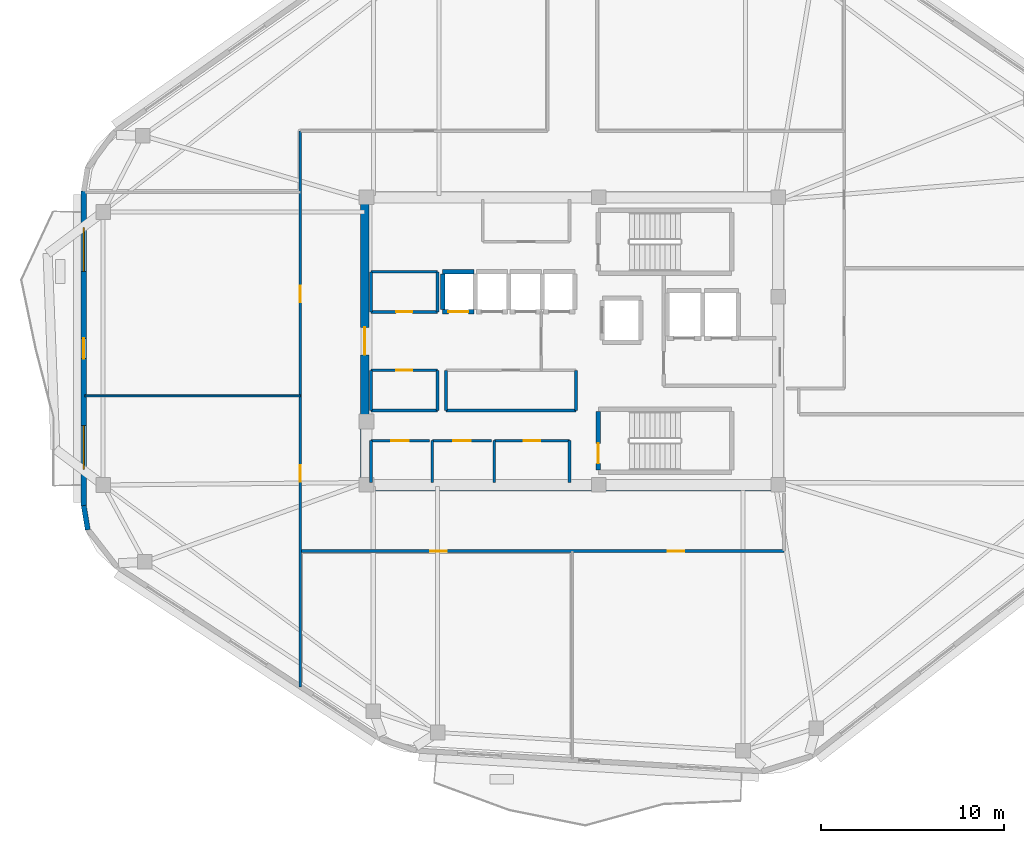
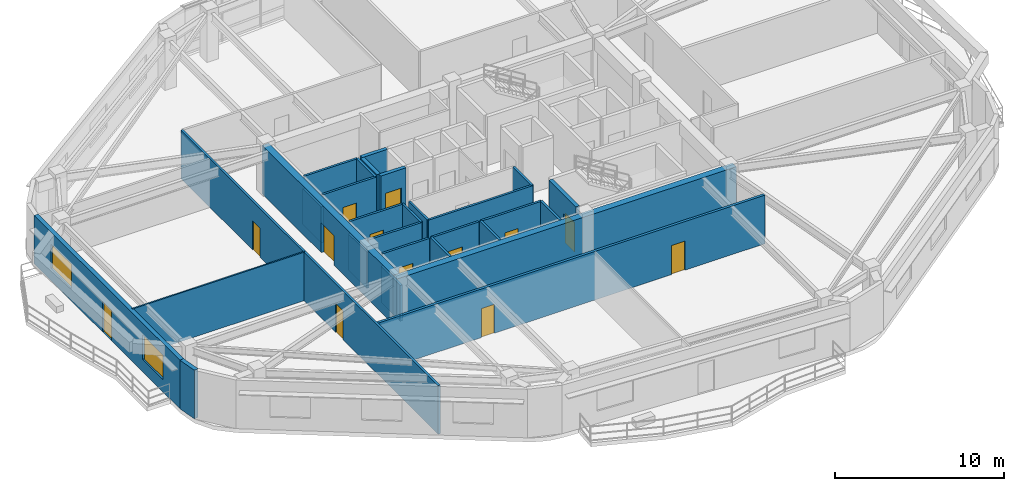
# One storey, part 6 of 12: 29 walls, 13 doors, 2 windows, 15 openings.
"""IFC4 building model written with IfcOpenShell, lengths in metres."""

from ifc_helpers import new_model, si_unit, direction, frame, frame_2d, origin, place, context, subcontext, project, spatial, rectangle, extrude, material, layer, layer_set, type_object, element, fill, save


model = new_model("IFC4")

# Units and contexts
model_context = context("Model", 3, precision=1e-05, world=origin(), true_north=direction((0.0, 1.0)))
body_context = subcontext(model_context, "Body", "Model", "MODEL_VIEW")
ifc_project = project(units=[si_unit("LENGTHUNIT", "METRE"), si_unit("AREAUNIT", "SQUARE_METRE"), si_unit("VOLUMEUNIT", "CUBIC_METRE"), si_unit("PLANEANGLEUNIT", "RADIAN"), si_unit("MASSUNIT", "GRAM", prefix="KILO")], contexts=[model_context])

# Site, building, storey
site_placement = place(None, origin())
site = spatial("IfcSite", under=ifc_project, at=site_placement, CompositionType="ELEMENT")
building_placement = place(site_placement, origin())
building = spatial("IfcBuilding", under=site, at=building_placement, Name="Zulverin Broadcast Headquarters", CompositionType="ELEMENT")
storey_placement = place(building_placement, frame((0.0, 0.0, 263.0)))
storey = spatial("IfcBuildingStorey", under=building, at=storey_placement, Name="L67", CompositionType="ELEMENT", Elevation=263.0)

# Wall
ifc_material_1 = material(Name="Concrete C50/60", Category="concrete")
ifc_layer_1 = layer(ifc_material_1, 0.449951171875, Name="Concrete C50/60", Category="concrete")
ifc_layer_set_1 = layer_set([ifc_layer_1], Name="Concrete C50/60")
wall_type_1 = type_object("IfcWallType", Name="WL-CORE-450", PredefinedType="SHEAR", material=ifc_layer_set_1)
wall_1_placement = place(storey_placement, frame((25.39990234375, 17.22509765625, 0.0), z_axis=(0.0, 0.0, 1.0), x_axis=(1.0, 0.0, 0.0)))
element("IfcWall", 1, at=wall_1_placement, inside=storey, type_object=wall_type_1, Name="L67 Core South Shear Wall", PredefinedType="SHEAR", context=body_context, shape_type="SweptSolid", body=[
    extrude(rectangle(XDim=23.2001953125, YDim=0.449951171875, at=frame_2d((11.60009765625, 0.0))), origin(), (0.0, 0.0, 1.0), 3.510009765625),
])

# Wall, opening, door
wall_2_placement = place(storey_placement, frame((25.625, 17.449951171875, 0.0), z_axis=(0.0, 0.0, 1.0), x_axis=(0.0, 1.0, 0.0)))
wall_2 = element("IfcWall", 2, at=wall_2_placement, inside=storey, type_object=wall_type_1, Name="L67 Core West Shear Wall", PredefinedType="SHEAR", context=body_context, shape_type="SweptSolid", body=[
    extrude(rectangle(XDim=15.5, YDim=0.449951171875, at=frame_2d((7.75, 0.0))), origin(), (0.0, 0.0, 1.0), 3.510009765625),
])
opening_1_placement = place(wall_2_placement, frame((7.0, 0.0, 0.0)))
opening_1 = element("IfcOpeningElement", 3, at=opening_1_placement, cuts=wall_2, Name="Opening D-L67-CW1", PredefinedType="OPENING", context=body_context, shape_type="SweptSolid", body=[
    extrude(rectangle(XDim=1.5, YDim=2.14990234375, at=frame_2d((0.75, 1.074951171875))), frame((0.0, 0.23486328125, 0.0), z_axis=(0.0, -1.0, 0.0), x_axis=(1.0, 0.0, 0.0)), (0.0, 0.0, 1.0), 0.469970703125),
])
ifc_material_2 = material(Name="Fire-rated glazed steel frame", Category="steel")
door_type_1 = type_object("IfcDoorType", Name="DR-COR-1500", OperationType="DOUBLE_DOOR_SINGLE_SWING", PredefinedType="DOOR", material=ifc_material_2)
door_1_placement = place(opening_1_placement, origin())
door_1 = element("IfcDoor", 4, at=door_1_placement, inside=storey, type_object=door_type_1, Name="L67 Central Lift Lobby West Portal Door", OperationType="DOUBLE_DOOR_SINGLE_SWING", OverallHeight=2.14990234375, OverallWidth=1.5, PredefinedType="DOOR", context=body_context, shape_type="SweptSolid", body=[
    extrude(rectangle(XDim=1.5, YDim=2.14990234375, at=frame_2d((0.75, 1.074951171875))), frame((0.0, 0.02490234375, 0.0), z_axis=(0.0, -1.0, 0.0), x_axis=(1.0, 0.0, 0.0)), (0.0, 0.0, 1.0), 0.050048828125),
])
fill(opening_1, door_1)

# Wall, openings, door, windows
ifc_material_3 = material(Name="Insulated pale-metal clad concrete spandrel C40/50", Category="concrete")
ifc_layer_2 = layer(ifc_material_3, 0.280029296875, Name="Insulated pale-metal clad concrete spandrel C40/50", Category="concrete")
ifc_layer_set_2 = layer_set([ifc_layer_2], Name="Insulated pale-metal clad concrete spandrel C40/50")
wall_type_2 = type_object("IfcWallType", Name="WL-EXT-280", PredefinedType="STANDARD", material=ifc_layer_set_2)
wall_3_placement = place(storey_placement, frame((10.239990234375, 33.42529296875, 0.0), z_axis=(0.0, 0.0, 1.0), x_axis=(0.0, -1.0, 0.0)))
wall_3 = element("IfcWall", 5, at=wall_3_placement, inside=storey, type_object=wall_type_2, Name="L67 Pale-Metal Clad Spandrel Wall 7", PredefinedType="STANDARD", context=body_context, shape_type="SweptSolid", body=[
    extrude(rectangle(XDim=17.256591796875, YDim=0.280029296875, at=frame_2d((8.62841796875, 0.0))), origin(), (0.0, 0.0, 1.0), 3.510009765625),
])
opening_2_placement = place(wall_3_placement, frame((8.078369140625, 0.0, 0.0)))
opening_2 = element("IfcOpeningElement", 6, at=opening_2_placement, cuts=wall_3, Name="Opening D-L67-TR7", PredefinedType="OPENING", context=body_context, shape_type="SweptSolid", body=[
    extrude(rectangle(XDim=1.10009765625, YDim=2.199951171875, at=frame_2d((0.550048828125, 1.10009765625))), frame((0.0, 0.14990234375, 0.0), z_axis=(0.0, -1.0, 0.0), x_axis=(1.0, 0.0, 0.0)), (0.0, 0.0, 1.0), 0.300048828125),
])
opening_3_placement = place(wall_3_placement, frame((2.009521484375, 0.0, 0.89990234375)))
opening_3 = element("IfcOpeningElement", 7, at=opening_3_placement, cuts=wall_3, Name="Opening W-L67-E71", PredefinedType="OPENING", context=body_context, shape_type="SweptSolid", body=[
    extrude(rectangle(XDim=2.39990234375, YDim=1.75, at=frame_2d((1.199951171875, 0.875))), frame((0.0, 0.14990234375, 0.0), z_axis=(0.0, -1.0, 0.0), x_axis=(1.0, 0.0, 0.0)), (0.0, 0.0, 1.0), 0.300048828125),
])
opening_4_placement = place(wall_3_placement, frame((12.84716796875, 0.0, 0.89990234375)))
opening_4 = element("IfcOpeningElement", 8, at=opening_4_placement, cuts=wall_3, Name="Opening W-L67-E72", PredefinedType="OPENING", context=body_context, shape_type="SweptSolid", body=[
    extrude(rectangle(XDim=2.39990234375, YDim=1.75, at=frame_2d((1.199951171875, 0.875))), frame((0.0, 0.14990234375, 0.0), z_axis=(0.0, -1.0, 0.0), x_axis=(1.0, 0.0, 0.0)), (0.0, 0.0, 1.0), 0.300048828125),
])
ifc_material_4 = material(Name="Thermally broken aluminium glazed", Category="aluminium")
door_type_2 = type_object("IfcDoorType", Name="DR-TERR-1100", OperationType="SINGLE_SWING_RIGHT", PredefinedType="DOOR", material=ifc_material_4)
door_2_placement = place(opening_2_placement, origin())
door_2 = element("IfcDoor", 9, at=door_2_placement, inside=storey, type_object=door_type_2, Name="L67 Planted Terrace Glazed Access Door 7", OperationType="SINGLE_SWING_RIGHT", OverallHeight=2.199951171875, OverallWidth=1.10009765625, PredefinedType="DOOR", context=body_context, shape_type="SweptSolid", body=[
    extrude(rectangle(XDim=1.10009765625, YDim=2.199951171875, at=frame_2d((0.550048828125, 1.10009765625))), frame((0.0, 0.02490234375, 0.0), z_axis=(0.0, -1.0, 0.0), x_axis=(1.0, 0.0, 0.0)), (0.0, 0.0, 1.0), 0.050048828125),
])
fill(opening_2, door_2)
ifc_material_5 = material(Name="Pale anodized aluminium frame with solar-control low-E double glazing", Category="aluminium")
window_type = type_object("IfcWindowType", Name="WIN-RIB-2400", PartitioningType="SINGLE_PANEL", PredefinedType="WINDOW", material=ifc_material_5)
window_1_placement = place(opening_3_placement, origin())
window_1 = element("IfcWindow", 10, at=window_1_placement, inside=storey, type_object=window_type, Name="L67 Ribbon Glazing Window 7 1", OverallHeight=1.75, OverallWidth=2.39990234375, PartitioningType="SINGLE_PANEL", PredefinedType="WINDOW", context=body_context, shape_type="SweptSolid", body=[
    extrude(rectangle(XDim=2.39990234375, YDim=1.75, at=frame_2d((1.199951171875, 0.875))), frame((0.0, 0.030029296875, 0.0), z_axis=(0.0, -1.0, 0.0), x_axis=(1.0, 0.0, 0.0)), (0.0, 0.0, 1.0), 0.06005859375),
])
fill(opening_3, window_1)
window_2_placement = place(opening_4_placement, origin())
window_2 = element("IfcWindow", 11, at=window_2_placement, inside=storey, type_object=window_type, Name="L67 Ribbon Glazing Window 7 2", OverallHeight=1.75, OverallWidth=2.39990234375, PartitioningType="SINGLE_PANEL", PredefinedType="WINDOW", context=body_context, shape_type="SweptSolid", body=[
    extrude(rectangle(XDim=2.39990234375, YDim=1.75, at=frame_2d((1.199951171875, 0.875))), frame((0.0, 0.030029296875, 0.0), z_axis=(0.0, -1.0, 0.0), x_axis=(1.0, 0.0, 0.0)), (0.0, 0.0, 1.0), 0.06005859375),
])
fill(opening_4, window_2)

# Walls
wall_4_placement = place(storey_placement, frame((10.238037109375, 16.191650390625, 0.0), z_axis=(0.0, 0.0, 1.0), x_axis=(0.164604311367, -0.986359681191, 0.0)))
element("IfcWall", 12, at=wall_4_placement, inside=storey, type_object=wall_type_2, Name="L67 Wind-Shaped Corner Spandrel Wall 7-1", PredefinedType="STANDARD", context=body_context, shape_type="SweptSolid", body=[
    extrude(rectangle(XDim=1.349609375, YDim=0.280029296875, at=frame_2d((0.6748046875, 0.0))), origin(), (0.0, 0.0, 1.0), 3.510009765625),
])
ifc_material_6 = material(Name="Fire-rated acoustic laminated glass screen", Category="glass")
ifc_layer_3 = layer(ifc_material_6, 0.10009765625, Name="Fire-rated acoustic laminated glass screen", Category="glass")
ifc_layer_set_3 = layer_set([ifc_layer_3], Name="Fire-rated acoustic laminated glass screen")
wall_type_3 = type_object("IfcWallType", Name="WL-GLAZ-100", PredefinedType="PARTITIONING", material=ifc_layer_set_3)
wall_5_placement = place(storey_placement, frame((10.304931640625, 22.199951171875, 0.0), z_axis=(0.0, 0.0, 1.0), x_axis=(1.0, 0.0, 0.0)))
element("IfcWall", 13, at=wall_5_placement, inside=storey, type_object=wall_type_3, Name="L67 Room Partition Wall RP-10", PredefinedType="PARTITIONING", context=body_context, shape_type="SweptSolid", body=[
    extrude(rectangle(XDim=11.795166015625, YDim=0.10009765625, at=frame_2d((5.8974609375, 0.0))), origin(), (0.0, 0.0, 1.0), 3.510009765625),
])

# Wall, opening, door
ifc_material_7 = material(Name="Fire-rated gypsum stud partition", Category="gypsum")
ifc_layer_4 = layer(ifc_material_7, 0.14990234375, Name="Fire-rated gypsum stud partition", Category="gypsum")
ifc_layer_set_4 = layer_set([ifc_layer_4], Name="Fire-rated gypsum stud partition")
wall_type_4 = type_object("IfcWallType", Name="WL-PART-150", PredefinedType="PARTITIONING", material=ifc_layer_set_4)
wall_6_placement = place(storey_placement, frame((25.969970703125, 19.75, 0.0), z_axis=(0.0, 0.0, 1.0), x_axis=(1.0, 0.0, 0.0)))
wall_6 = element("IfcWall", 14, at=wall_6_placement, inside=storey, type_object=wall_type_4, Name="L67 Core Male WC Front Wall", PredefinedType="PARTITIONING", context=body_context, shape_type="SweptSolid", body=[
    extrude(rectangle(XDim=3.199951171875, YDim=0.14990234375, at=frame_2d((1.60009765625, 0.0))), origin(), (0.0, 0.0, 1.0), 3.510009765625),
])
opening_5_placement = place(wall_6_placement, frame((1.125, 0.0, 0.0)))
opening_5 = element("IfcOpeningElement", 15, at=opening_5_placement, cuts=wall_6, Name="Opening D-L67-SC1", PredefinedType="OPENING", context=body_context, shape_type="SweptSolid", body=[
    extrude(rectangle(XDim=0.949951171875, YDim=2.10009765625, at=frame_2d((0.47509765625, 1.050048828125))), frame((0.0, 0.0849609375, 0.0), z_axis=(0.0, -1.0, 0.0), x_axis=(1.0, 0.0, 0.0)), (0.0, 0.0, 1.0), 0.169921875),
])
ifc_material_8 = material(Name="Fire-rated moisture-resistant laminate leaf", Category="wood")
door_type_3 = type_object("IfcDoorType", Name="DR-WC-950", OperationType="SINGLE_SWING_LEFT", PredefinedType="DOOR", material=ifc_material_8)
door_3_placement = place(opening_5_placement, origin())
door_3 = element("IfcDoor", 16, at=door_3_placement, inside=storey, type_object=door_type_3, Name="L67 Male WC Door", OperationType="SINGLE_SWING_RIGHT", OverallHeight=2.10009765625, OverallWidth=0.949951171875, PredefinedType="DOOR", context=body_context, shape_type="SweptSolid", body=[
    extrude(rectangle(XDim=0.949951171875, YDim=2.10009765625, at=frame_2d((0.47509765625, 1.050048828125))), frame((0.0, 0.02490234375, 0.0), z_axis=(0.0, -1.0, 0.0), x_axis=(1.0, 0.0, 0.0)), (0.0, 0.0, 1.0), 0.050048828125),
])
fill(opening_5, door_3)

# Wall
wall_7_placement = place(storey_placement, frame((25.969970703125, 17.449951171875, 0.0), z_axis=(0.0, 0.0, 1.0), x_axis=(0.0, 1.0, 0.0)))
element("IfcWall", 17, at=wall_7_placement, inside=storey, type_object=wall_type_4, Name="L67 Core Male WC West Wall", PredefinedType="PARTITIONING", context=body_context, shape_type="SweptSolid", body=[
    extrude(rectangle(XDim=2.300048828125, YDim=0.14990234375, at=frame_2d((1.14990234375, 0.0))), origin(), (0.0, 0.0, 1.0), 2.610107421875),
])

# Wall, opening, door
wall_8_placement = place(storey_placement, frame((29.330078125, 19.75, 0.0), z_axis=(0.0, 0.0, 1.0), x_axis=(1.0, 0.0, 0.0)))
wall_8 = element("IfcWall", 18, at=wall_8_placement, inside=storey, type_object=wall_type_4, Name="L67 Core Female WC Front Wall", PredefinedType="PARTITIONING", context=body_context, shape_type="SweptSolid", body=[
    extrude(rectangle(XDim=3.239990234375, YDim=0.14990234375, at=frame_2d((1.6201171875, 0.0))), origin(), (0.0, 0.0, 1.0), 3.510009765625),
])
opening_6_placement = place(wall_8_placement, frame((1.14501953125, 0.0, 0.0)))
opening_6 = element("IfcOpeningElement", 19, at=opening_6_placement, cuts=wall_8, Name="Opening D-L67-SC2", PredefinedType="OPENING", context=body_context, shape_type="SweptSolid", body=[
    extrude(rectangle(XDim=0.949951171875, YDim=2.10009765625, at=frame_2d((0.47509765625, 1.050048828125))), frame((0.0, 0.0849609375, 0.0), z_axis=(0.0, -1.0, 0.0), x_axis=(1.0, 0.0, 0.0)), (0.0, 0.0, 1.0), 0.169921875),
])
door_4_placement = place(opening_6_placement, origin())
door_4 = element("IfcDoor", 20, at=door_4_placement, inside=storey, type_object=door_type_3, Name="L67 Female WC Door", OperationType="SINGLE_SWING_LEFT", OverallHeight=2.10009765625, OverallWidth=0.949951171875, PredefinedType="DOOR", context=body_context, shape_type="SweptSolid", body=[
    extrude(rectangle(XDim=0.949951171875, YDim=2.10009765625, at=frame_2d((0.47509765625, 1.050048828125))), frame((0.0, 0.02490234375, 0.0), z_axis=(0.0, -1.0, 0.0), x_axis=(1.0, 0.0, 0.0)), (0.0, 0.0, 1.0), 0.050048828125),
])
fill(opening_6, door_4)

# Wall
wall_9_placement = place(storey_placement, frame((29.330078125, 17.449951171875, 0.0), z_axis=(0.0, 0.0, 1.0), x_axis=(0.0, 1.0, 0.0)))
element("IfcWall", 21, at=wall_9_placement, inside=storey, type_object=wall_type_4, Name="L67 Core Female WC West Wall", PredefinedType="PARTITIONING", context=body_context, shape_type="SweptSolid", body=[
    extrude(rectangle(XDim=2.300048828125, YDim=0.14990234375, at=frame_2d((1.14990234375, 0.0))), origin(), (0.0, 0.0, 1.0), 3.510009765625),
])

# Wall, opening, door
wall_10_placement = place(storey_placement, frame((32.72998046875, 19.75, 0.0), z_axis=(0.0, 0.0, 1.0), x_axis=(1.0, 0.0, 0.0)))
wall_10 = element("IfcWall", 22, at=wall_10_placement, inside=storey, type_object=wall_type_4, Name="L67 Core Cleaner Store Front Wall", PredefinedType="PARTITIONING", context=body_context, shape_type="SweptSolid", body=[
    extrude(rectangle(XDim=4.1201171875, YDim=0.14990234375, at=frame_2d((2.06005859375, 0.0))), origin(), (0.0, 0.0, 1.0), 3.510009765625),
])
opening_7_placement = place(wall_10_placement, frame((1.610107421875, 0.0, 0.0)))
opening_7 = element("IfcOpeningElement", 23, at=opening_7_placement, cuts=wall_10, Name="Opening D-L67-SC3", PredefinedType="OPENING", context=body_context, shape_type="SweptSolid", body=[
    extrude(rectangle(XDim=0.89990234375, YDim=2.10009765625, at=frame_2d((0.449951171875, 1.050048828125))), frame((0.0, 0.0849609375, 0.0), z_axis=(0.0, -1.0, 0.0), x_axis=(1.0, 0.0, 0.0)), (0.0, 0.0, 1.0), 0.169921875),
])
ifc_material_9 = material(Name="Powder-coated steel access leaf", Category="steel")
door_type_4 = type_object("IfcDoorType", Name="DR-RISER-900", OperationType="SINGLE_SWING_LEFT", PredefinedType="DOOR", material=ifc_material_9)
door_5_placement = place(opening_7_placement, origin())
door_5 = element("IfcDoor", 24, at=door_5_placement, inside=storey, type_object=door_type_4, Name="L67 Cleaner Store Door", OperationType="SINGLE_SWING_RIGHT", OverallHeight=2.10009765625, OverallWidth=0.89990234375, PredefinedType="DOOR", context=body_context, shape_type="SweptSolid", body=[
    extrude(rectangle(XDim=0.89990234375, YDim=2.10009765625, at=frame_2d((0.449951171875, 1.050048828125))), frame((0.0, 0.02490234375, 0.0), z_axis=(0.0, -1.0, 0.0), x_axis=(1.0, 0.0, 0.0)), (0.0, 0.0, 1.0), 0.050048828125),
])
fill(opening_7, door_5)

# Walls
for number, where, z_axis, x_axis, name in (
    (25, (32.72998046875, 17.449951171875, 0.0), (0.0, 0.0, 1.0), (0.0, 1.0, 0.0), "L67 Core Cleaner Store West Wall"),
    (26, (36.85009765625, 17.449951171875, 0.0), (0.0, 0.0, 1.0), (0.0, 1.0, 0.0), "L67 Core Cleaner Store East Wall"),
):
    element("IfcWall", number, at=place(storey_placement, frame(where, z_axis=z_axis, x_axis=x_axis)), inside=storey, type_object=wall_type_4, Name=name, PredefinedType="PARTITIONING", context=body_context, shape_type="SweptSolid", body=[
        extrude(rectangle(XDim=2.300048828125, YDim=0.14990234375, at=frame_2d((1.14990234375, 0.0))), origin(), (0.0, 0.0, 1.0), 3.510009765625),
    ])

# Wall, opening, door
wall_11_placement = place(storey_placement, frame((25.969970703125, 26.800048828125, 0.0), z_axis=(0.0, 0.0, 1.0), x_axis=(1.0, 0.0, 0.0)))
wall_11 = element("IfcWall", 27, at=wall_11_placement, inside=storey, type_object=wall_type_4, Name="L67 Broadcast Signal Patch Room S Wall", PredefinedType="PARTITIONING", context=body_context, shape_type="SweptSolid", body=[
    extrude(rectangle(XDim=3.650146484375, YDim=0.14990234375, at=frame_2d((1.8251953125, 0.0))), origin(), (0.0, 0.0, 1.0), 3.510009765625),
])
opening_8_placement = place(wall_11_placement, frame((1.375, 0.0, 0.0)))
opening_8 = element("IfcOpeningElement", 28, at=opening_8_placement, cuts=wall_11, Name="Opening D-L67-RCLN", PredefinedType="OPENING", context=body_context, shape_type="SweptSolid", body=[
    extrude(rectangle(XDim=0.89990234375, YDim=2.10009765625, at=frame_2d((0.449951171875, 1.050048828125))), frame((0.0, 0.0849609375, 0.0), z_axis=(0.0, -1.0, 0.0), x_axis=(1.0, 0.0, 0.0)), (0.0, 0.0, 1.0), 0.169921875),
])
door_6_placement = place(opening_8_placement, origin())
door_6 = element("IfcDoor", 29, at=door_6_placement, inside=storey, type_object=door_type_4, Name="L67 Broadcast Signal Patch Room Door", OperationType="SINGLE_SWING_LEFT", OverallHeight=2.10009765625, OverallWidth=0.89990234375, PredefinedType="DOOR", context=body_context, shape_type="SweptSolid", body=[
    extrude(rectangle(XDim=0.89990234375, YDim=2.10009765625, at=frame_2d((0.449951171875, 1.050048828125))), frame((0.0, 0.02490234375, 0.0), z_axis=(0.0, -1.0, 0.0), x_axis=(1.0, 0.0, 0.0)), (0.0, 0.0, 1.0), 0.050048828125),
])
fill(opening_8, door_6)

# Walls
wall_12_placement = place(storey_placement, frame((25.969970703125, 29.0, 0.0), z_axis=(0.0, 0.0, 1.0), x_axis=(1.0, 0.0, 0.0)))
element("IfcWall", 30, at=wall_12_placement, inside=storey, type_object=wall_type_4, Name="L67 Broadcast Signal Patch Room N Wall", PredefinedType="PARTITIONING", context=body_context, shape_type="SweptSolid", body=[
    extrude(rectangle(XDim=3.650146484375, YDim=0.14990234375, at=frame_2d((1.8251953125, 0.0))), origin(), (0.0, 0.0, 1.0), 3.510009765625),
])
wall_13_placement = place(storey_placement, frame((25.969970703125, 26.800048828125, 0.0), z_axis=(0.0, 0.0, 1.0), x_axis=(0.0, 1.0, 0.0)))
element("IfcWall", 31, at=wall_13_placement, inside=storey, type_object=wall_type_4, Name="L67 Broadcast Signal Patch Room W Wall", PredefinedType="PARTITIONING", context=body_context, shape_type="SweptSolid", body=[
    extrude(rectangle(XDim=2.199951171875, YDim=0.14990234375, at=frame_2d((1.10009765625, 0.0))), origin(), (0.0, 0.0, 1.0), 2.610107421875),
])
wall_14_placement = place(storey_placement, frame((29.6201171875, 26.800048828125, 0.0), z_axis=(0.0, 0.0, 1.0), x_axis=(0.0, 1.0, 0.0)))
element("IfcWall", 32, at=wall_14_placement, inside=storey, type_object=wall_type_4, Name="L67 Broadcast Signal Patch Room E Wall", PredefinedType="PARTITIONING", context=body_context, shape_type="SweptSolid", body=[
    extrude(rectangle(XDim=2.199951171875, YDim=0.14990234375, at=frame_2d((1.10009765625, 0.0))), origin(), (0.0, 0.0, 1.0), 3.510009765625),
])
wall_15_placement = place(storey_placement, frame((25.969970703125, 21.39990234375, 0.0), z_axis=(0.0, 0.0, 1.0), x_axis=(1.0, 0.0, 0.0)))
element("IfcWall", 33, at=wall_15_placement, inside=storey, type_object=wall_type_4, Name="L67 Housekeeping Equipment Store S Wall", PredefinedType="PARTITIONING", context=body_context, shape_type="SweptSolid", body=[
    extrude(rectangle(XDim=3.650146484375, YDim=0.14990234375, at=frame_2d((1.8251953125, 0.0))), origin(), (0.0, 0.0, 1.0), 3.510009765625),
])

# Wall, opening, door
wall_16_placement = place(storey_placement, frame((25.969970703125, 23.60009765625, 0.0), z_axis=(0.0, 0.0, 1.0), x_axis=(1.0, 0.0, 0.0)))
wall_16 = element("IfcWall", 34, at=wall_16_placement, inside=storey, type_object=wall_type_4, Name="L67 Housekeeping Equipment Store N Wall", PredefinedType="PARTITIONING", context=body_context, shape_type="SweptSolid", body=[
    extrude(rectangle(XDim=3.650146484375, YDim=0.14990234375, at=frame_2d((1.8251953125, 0.0))), origin(), (0.0, 0.0, 1.0), 3.510009765625),
])
opening_9_placement = place(wall_16_placement, frame((1.375, 0.0, 0.0)))
opening_9 = element("IfcOpeningElement", 35, at=opening_9_placement, cuts=wall_16, Name="Opening D-L67-RCLS", PredefinedType="OPENING", context=body_context, shape_type="SweptSolid", body=[
    extrude(rectangle(XDim=0.89990234375, YDim=2.10009765625, at=frame_2d((0.449951171875, 1.050048828125))), frame((0.0, 0.0849609375, 0.0), z_axis=(0.0, -1.0, 0.0), x_axis=(1.0, 0.0, 0.0)), (0.0, 0.0, 1.0), 0.169921875),
])
door_7_placement = place(opening_9_placement, origin())
door_7 = element("IfcDoor", 36, at=door_7_placement, inside=storey, type_object=door_type_4, Name="L67 Housekeeping Equipment Store Door", OperationType="SINGLE_SWING_RIGHT", OverallHeight=2.10009765625, OverallWidth=0.89990234375, PredefinedType="DOOR", context=body_context, shape_type="SweptSolid", body=[
    extrude(rectangle(XDim=0.89990234375, YDim=2.10009765625, at=frame_2d((0.449951171875, 1.050048828125))), frame((0.0, 0.02490234375, 0.0), z_axis=(0.0, -1.0, 0.0), x_axis=(1.0, 0.0, 0.0)), (0.0, 0.0, 1.0), 0.050048828125),
])
fill(opening_9, door_7)

# Walls
wall_17_placement = place(storey_placement, frame((25.969970703125, 21.39990234375, 0.0), z_axis=(0.0, 0.0, 1.0), x_axis=(0.0, 1.0, 0.0)))
element("IfcWall", 37, at=wall_17_placement, inside=storey, type_object=wall_type_4, Name="L67 Housekeeping Equipment Store W Wall", PredefinedType="PARTITIONING", context=body_context, shape_type="SweptSolid", body=[
    extrude(rectangle(XDim=2.2001953125, YDim=0.14990234375, at=frame_2d((1.10009765625, 0.0))), origin(), (0.0, 0.0, 1.0), 2.610107421875),
])
wall_18_placement = place(storey_placement, frame((29.6201171875, 21.39990234375, 0.0), z_axis=(0.0, 0.0, 1.0), x_axis=(0.0, 1.0, 0.0)))
element("IfcWall", 38, at=wall_18_placement, inside=storey, type_object=wall_type_4, Name="L67 Housekeeping Equipment Store E Wall", PredefinedType="PARTITIONING", context=body_context, shape_type="SweptSolid", body=[
    extrude(rectangle(XDim=2.2001953125, YDim=0.14990234375, at=frame_2d((1.10009765625, 0.0))), origin(), (0.0, 0.0, 1.0), 3.510009765625),
])
wall_19_placement = place(storey_placement, frame((30.080078125, 21.39990234375, 0.0), z_axis=(0.0, 0.0, 1.0), x_axis=(1.0, 0.0, 0.0)))
element("IfcWall", 39, at=wall_19_placement, inside=storey, type_object=wall_type_4, Name="L67 Optical Telemetry Hub Room S Wall", PredefinedType="PARTITIONING", context=body_context, shape_type="SweptSolid", body=[
    extrude(rectangle(XDim=7.119873046875, YDim=0.14990234375, at=frame_2d((3.56005859375, 0.0))), origin(), (0.0, 0.0, 1.0), 3.510009765625),
])
for number, where, z_axis, x_axis, name in (
    (40, (30.080078125, 21.39990234375, 0.0), (0.0, 0.0, 1.0), (0.0, 1.0, 0.0), "L67 Optical Telemetry Hub Room W Wall"),
    (41, (37.199951171875, 21.39990234375, 0.0), (0.0, 0.0, 1.0), (0.0, 1.0, 0.0), "L67 Optical Telemetry Hub Room E Wall"),
):
    element("IfcWall", number, at=place(storey_placement, frame(where, z_axis=z_axis, x_axis=x_axis)), inside=storey, type_object=wall_type_4, Name=name, PredefinedType="PARTITIONING", context=body_context, shape_type="SweptSolid", body=[
        extrude(rectangle(XDim=2.2001953125, YDim=0.14990234375, at=frame_2d((1.10009765625, 0.0))), origin(), (0.0, 0.0, 1.0), 3.510009765625),
    ])

# Wall, openings, doors
wall_20_placement = place(storey_placement, frame((22.10009765625, 6.248291015625, 0.0), z_axis=(0.0, 0.0, 1.0), x_axis=(0.0, 1.0, 0.0)))
wall_20 = element("IfcWall", 42, at=wall_20_placement, inside=storey, type_object=wall_type_4, Name="L67 Gallery Partition Wall CG-07", PredefinedType="PARTITIONING", context=body_context, shape_type="SweptSolid", body=[
    extrude(rectangle(XDim=30.45166015625, YDim=0.14990234375, at=frame_2d((15.225830078125, 0.0))), origin(), (0.0, 0.0, 1.0), 3.510009765625),
])
opening_10_placement = place(wall_20_placement, frame((11.251708984375, 0.0, 0.0)))
opening_10 = element("IfcOpeningElement", 43, at=opening_10_placement, cuts=wall_20, Name="Opening D-L67-05", PredefinedType="OPENING", context=body_context, shape_type="SweptSolid", body=[
    extrude(rectangle(XDim=0.89990234375, YDim=2.10009765625, at=frame_2d((0.449951171875, 1.050048828125))), frame((0.0, 0.0849609375, 0.0), z_axis=(0.0, -1.0, 0.0), x_axis=(1.0, 0.0, 0.0)), (0.0, 0.0, 1.0), 0.169921875),
])
opening_11_placement = place(wall_20_placement, frame((21.07666015625, 0.0, 0.0)))
opening_11 = element("IfcOpeningElement", 44, at=opening_11_placement, cuts=wall_20, Name="Opening D-L67-06", PredefinedType="OPENING", context=body_context, shape_type="SweptSolid", body=[
    extrude(rectangle(XDim=0.89990234375, YDim=2.10009765625, at=frame_2d((0.449951171875, 1.050048828125))), frame((0.0, 0.0849609375, 0.0), z_axis=(0.0, -1.0, 0.0), x_axis=(1.0, 0.0, 0.0)), (0.0, 0.0, 1.0), 0.169921875),
])
ifc_material_10 = material(Name="Fire-rated hardwood veneer timber leaf", Category="wood")
door_type_5 = type_object("IfcDoorType", Name="DR-ROOM-900", OperationType="SINGLE_SWING_RIGHT", PredefinedType="DOOR", material=ifc_material_10)
door_8_placement = place(opening_10_placement, origin())
door_8 = element("IfcDoor", 45, at=door_8_placement, inside=storey, type_object=door_type_5, Name="L67 Hospitality Club Bar Door", OperationType="SINGLE_SWING_LEFT", OverallHeight=2.10009765625, OverallWidth=0.89990234375, PredefinedType="DOOR", context=body_context, shape_type="SweptSolid", body=[
    extrude(rectangle(XDim=0.89990234375, YDim=2.10009765625, at=frame_2d((0.449951171875, 1.050048828125))), frame((0.0, 0.02490234375, 0.0), z_axis=(0.0, -1.0, 0.0), x_axis=(1.0, 0.0, 0.0)), (0.0, 0.0, 1.0), 0.050048828125),
])
fill(opening_10, door_8)
door_9_placement = place(opening_11_placement, origin())
door_9 = element("IfcDoor", 46, at=door_9_placement, inside=storey, type_object=door_type_5, Name="L67 Celebrity Waiting Reception Door", OperationType="SINGLE_SWING_RIGHT", OverallHeight=2.10009765625, OverallWidth=0.89990234375, PredefinedType="DOOR", context=body_context, shape_type="SweptSolid", body=[
    extrude(rectangle(XDim=0.89990234375, YDim=2.10009765625, at=frame_2d((0.449951171875, 1.050048828125))), frame((0.0, 0.02490234375, 0.0), z_axis=(0.0, -1.0, 0.0), x_axis=(1.0, 0.0, 0.0)), (0.0, 0.0, 1.0), 0.050048828125),
])
fill(opening_11, door_9)

ifc_material_11 = material(Name="Fire-rated acoustic stud wall", Category="gypsum")
ifc_layer_5 = layer(ifc_material_11, 0.175048828125, Name="Fire-rated acoustic stud wall", Category="gypsum")
ifc_layer_set_5 = layer_set([ifc_layer_5], Name="Fire-rated acoustic stud wall")
wall_type_5 = type_object("IfcWallType", Name="WL-PART-175", PredefinedType="PARTITIONING", material=ifc_layer_set_5)
wall_21_placement = place(storey_placement, frame((22.10009765625, 13.699951171875, 0.0), z_axis=(0.0, 0.0, 1.0), x_axis=(1.0, 0.0, 0.0)))
wall_21 = element("IfcWall", 47, at=wall_21_placement, inside=storey, type_object=wall_type_5, Name="L67 Gallery Partition Wall CG-08", PredefinedType="PARTITIONING", context=body_context, shape_type="SweptSolid", body=[
    extrude(rectangle(XDim=26.5, YDim=0.175048828125, at=frame_2d((13.25, 0.0))), origin(), (0.0, 0.0, 1.0), 3.510009765625),
])
opening_12_placement = place(wall_21_placement, frame((7.1201171875, 0.0, 0.0)))
opening_12 = element("IfcOpeningElement", 48, at=opening_12_placement, cuts=wall_21, Name="Opening D-L67-03", PredefinedType="OPENING", context=body_context, shape_type="SweptSolid", body=[
    extrude(rectangle(XDim=0.89990234375, YDim=2.10009765625, at=frame_2d((0.449951171875, 1.050048828125))), frame((0.0, 0.097412109375, 0.0), z_axis=(0.0, -1.0, 0.0), x_axis=(1.0, 0.0, 0.0)), (0.0, 0.0, 1.0), 0.195068359375),
])
opening_13_placement = place(wall_21_placement, frame((20.1298828125, 0.0, 0.0)))
opening_13 = element("IfcOpeningElement", 49, at=opening_13_placement, cuts=wall_21, Name="Opening D-L67-04", PredefinedType="OPENING", context=body_context, shape_type="SweptSolid", body=[
    extrude(rectangle(XDim=0.89990234375, YDim=2.10009765625, at=frame_2d((0.449951171875, 1.050048828125))), frame((0.0, 0.097412109375, 0.0), z_axis=(0.0, -1.0, 0.0), x_axis=(1.0, 0.0, 0.0)), (0.0, 0.0, 1.0), 0.195068359375),
])
door_10_placement = place(opening_12_placement, origin())
door_10 = element("IfcDoor", 50, at=door_10_placement, inside=storey, type_object=door_type_5, Name="L67 Production Briefing Room Door", OperationType="SINGLE_SWING_LEFT", OverallHeight=2.10009765625, OverallWidth=0.89990234375, PredefinedType="DOOR", context=body_context, shape_type="SweptSolid", body=[
    extrude(rectangle(XDim=0.89990234375, YDim=2.10009765625, at=frame_2d((0.449951171875, 1.050048828125))), frame((0.0, 0.02490234375, 0.0), z_axis=(0.0, -1.0, 0.0), x_axis=(1.0, 0.0, 0.0)), (0.0, 0.0, 1.0), 0.050048828125),
])
fill(opening_12, door_10)
door_11_placement = place(opening_13_placement, origin())
door_11 = element("IfcDoor", 51, at=door_11_placement, inside=storey, type_object=door_type_5, Name="L67 Broadcast Preview Suite Door", OperationType="SINGLE_SWING_RIGHT", OverallHeight=2.10009765625, OverallWidth=0.89990234375, PredefinedType="DOOR", context=body_context, shape_type="SweptSolid", body=[
    extrude(rectangle(XDim=0.89990234375, YDim=2.10009765625, at=frame_2d((0.449951171875, 1.050048828125))), frame((0.0, 0.02490234375, 0.0), z_axis=(0.0, -1.0, 0.0), x_axis=(1.0, 0.0, 0.0)), (0.0, 0.0, 1.0), 0.050048828125),
])
fill(opening_13, door_11)

# Wall, opening, door
ifc_layer_6 = layer(ifc_material_1, 0.25, Name="Concrete C50/60", Category="concrete")
ifc_layer_set_6 = layer_set([ifc_layer_6], Name="Concrete C50/60")
wall_type_6 = type_object("IfcWallType", Name="WL-SHAFT-250", PredefinedType="SHEAR", material=ifc_layer_set_6)
wall_22_placement = place(storey_placement, frame((38.425048828125, 18.14990234375, 0.0), z_axis=(0.0, 0.0, 1.0), x_axis=(0.0, 1.0, 0.0)))
wall_22 = element("IfcWall", 52, at=wall_22_placement, inside=storey, type_object=wall_type_6, Name="L67 ST-2 Enclosure Wall W", PredefinedType="SHEAR", context=body_context, shape_type="SweptSolid", body=[
    extrude(rectangle(XDim=3.2001953125, YDim=0.25, at=frame_2d((1.60009765625, 0.0))), origin(), (0.0, 0.0, 1.0), 3.510009765625),
])
opening_14_placement = place(wall_22_placement, frame((0.35009765625, 0.0, 0.0)))
opening_14 = element("IfcOpeningElement", 53, at=opening_14_placement, cuts=wall_22, Name="Opening D-L67-ST-2", PredefinedType="OPENING", context=body_context, shape_type="SweptSolid", body=[
    extrude(rectangle(XDim=1.10009765625, YDim=2.14990234375, at=frame_2d((0.550048828125, 1.074951171875))), frame((0.0, 0.135009765625, 0.0), z_axis=(0.0, -1.0, 0.0), x_axis=(1.0, 0.0, 0.0)), (0.0, 0.0, 1.0), 0.27001953125),
])
ifc_material_12 = material(Name="Fire-rated steel leaf and frame", Category="steel")
door_type_6 = type_object("IfcDoorType", Name="DR-STAIR-1100", OperationType="SINGLE_SWING_LEFT", PredefinedType="DOOR", material=ifc_material_12)
door_12_placement = place(opening_14_placement, origin())
door_12 = element("IfcDoor", 54, at=door_12_placement, inside=storey, type_object=door_type_6, Name="L67 Exit Stair ST-2 Fire Door", OperationType="SINGLE_SWING_RIGHT", OverallHeight=2.14990234375, OverallWidth=1.10009765625, PredefinedType="DOOR", context=body_context, shape_type="SweptSolid", body=[
    extrude(rectangle(XDim=1.10009765625, YDim=2.14990234375, at=frame_2d((0.550048828125, 1.074951171875))), frame((0.0, 0.02490234375, 0.0), z_axis=(0.0, -1.0, 0.0), x_axis=(1.0, 0.0, 0.0)), (0.0, 0.0, 1.0), 0.050048828125),
])
fill(opening_14, door_12)

wall_23_placement = place(storey_placement, frame((29.89990234375, 26.800048828125, 0.0), z_axis=(0.0, 0.0, 1.0), x_axis=(1.0, 0.0, 0.0)))
wall_23 = element("IfcWall", 55, at=wall_23_placement, inside=storey, type_object=wall_type_6, Name="L67 Lift PL-H1 Shaft Wall S", PredefinedType="SHEAR", context=body_context, shape_type="SweptSolid", body=[
    extrude(rectangle(XDim=1.72021484375, YDim=0.25, at=frame_2d((0.860107421875, 0.0))), origin(), (0.0, 0.0, 1.0), 3.510009765625),
])
opening_15_placement = place(wall_23_placement, frame((0.31005859375, 0.0, 0.0)))
opening_15 = element("IfcOpeningElement", 56, at=opening_15_placement, cuts=wall_23, Name="Opening LD-PL-H1-L67", PredefinedType="OPENING", context=body_context, shape_type="SweptSolid", body=[
    extrude(rectangle(XDim=1.10009765625, YDim=2.14990234375, at=frame_2d((0.550048828125, 1.074951171875))), frame((0.0, 0.135009765625, 0.0), z_axis=(0.0, -1.0, 0.0), x_axis=(1.0, 0.0, 0.0)), (0.0, 0.0, 1.0), 0.27001953125),
])
ifc_material_13 = material(Name="Brushed stainless steel landing", Category="steel")
door_type_7 = type_object("IfcDoorType", Name="LD-PASS-1100", OperationType="DOUBLE_DOOR_SLIDING", PredefinedType="DOOR", material=ifc_material_13)
door_13_placement = place(opening_15_placement, origin())
door_13 = element("IfcDoor", 57, at=door_13_placement, inside=storey, type_object=door_type_7, Name="L67 Lift PL-H1 Sliding Landing Door", OperationType="DOUBLE_DOOR_SLIDING", OverallHeight=2.14990234375, OverallWidth=1.10009765625, PredefinedType="DOOR", context=body_context, shape_type="SweptSolid", body=[
    extrude(rectangle(XDim=1.10009765625, YDim=2.14990234375, at=frame_2d((0.550048828125, 1.074951171875))), frame((0.0, 0.02490234375, 0.0), z_axis=(0.0, -1.0, 0.0), x_axis=(1.0, 0.0, 0.0)), (0.0, 0.0, 1.0), 0.050048828125),
])
fill(opening_15, door_13)

# Walls
wall_24_placement = place(storey_placement, frame((29.89990234375, 29.0, 0.0), z_axis=(0.0, 0.0, 1.0), x_axis=(1.0, 0.0, 0.0)))
element("IfcWall", 58, at=wall_24_placement, inside=storey, type_object=wall_type_6, Name="L67 Lift PL-H1 Shaft Wall N", PredefinedType="SHEAR", context=body_context, shape_type="SweptSolid", body=[
    extrude(rectangle(XDim=1.72021484375, YDim=0.25, at=frame_2d((0.860107421875, 0.0))), origin(), (0.0, 0.0, 1.0), 3.510009765625),
])
wall_25_placement = place(storey_placement, frame((29.89990234375, 26.919921875, 0.0), z_axis=(0.0, 0.0, 1.0), x_axis=(0.0, 1.0, 0.0)))
element("IfcWall", 59, at=wall_25_placement, inside=storey, type_object=wall_type_6, Name="L67 Lift PL-H1 Shaft Wall W", PredefinedType="SHEAR", context=body_context, shape_type="SweptSolid", body=[
    extrude(rectangle(XDim=1.9599609375, YDim=0.25, at=frame_2d((0.97998046875, 0.0))), origin(), (0.0, 0.0, 1.0), 3.510009765625),
])

save(model, "model.ifc")
